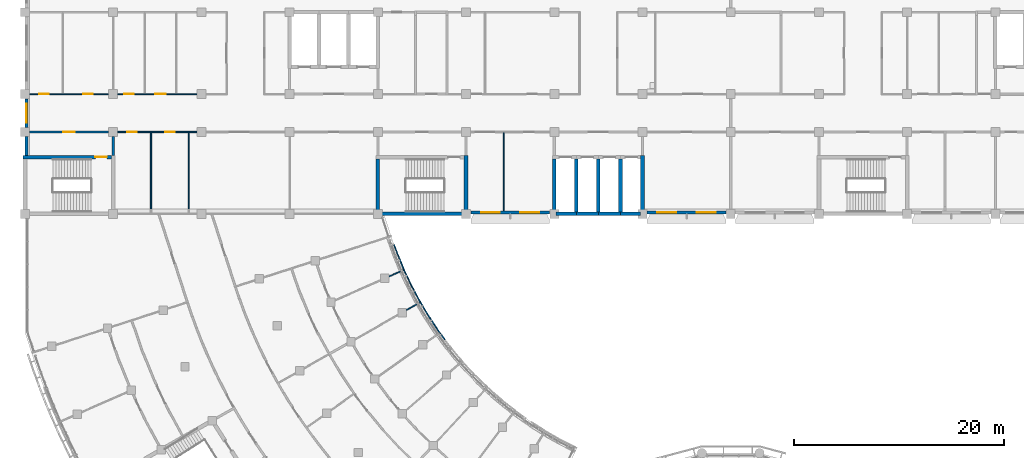
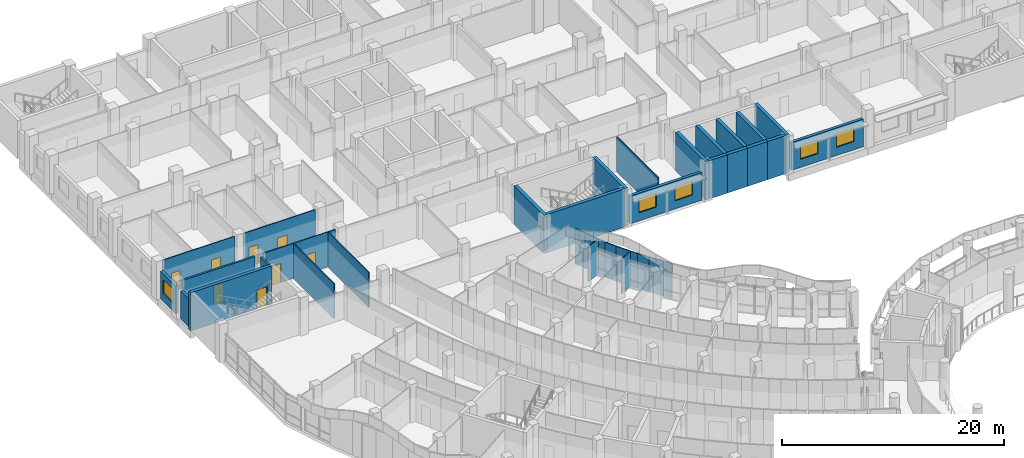
# One storey, part 56 of 109: 36 walls, 8 doors, 5 windows, 13 openings.
"""IFC4 building model written with IfcOpenShell, lengths in metres."""

from ifc_helpers import new_model, si_unit, direction, frame, frame_2d, origin, place, context, subcontext, project, spatial, rectangle, extrude, material, layer, layer_set, type_object, element, fill, save


model = new_model("IFC4")

# Units and contexts
model_context = context("Model", 3, precision=1e-05, world=origin(), true_north=direction((0.0, 1.0)))
body_context = subcontext(model_context, "Body", "Model", "MODEL_VIEW")
ifc_project = project(units=[si_unit("LENGTHUNIT", "METRE"), si_unit("AREAUNIT", "SQUARE_METRE"), si_unit("VOLUMEUNIT", "CUBIC_METRE"), si_unit("PLANEANGLEUNIT", "RADIAN"), si_unit("MASSUNIT", "GRAM", prefix="KILO")], contexts=[model_context])

# Site, building, storey
site_placement = place(None, origin())
site = spatial("IfcSite", under=ifc_project, at=site_placement, CompositionType="ELEMENT")
building_placement = place(site_placement, origin())
building = spatial("IfcBuilding", under=site, at=building_placement, Name="Bougainvillea Quay General Hospital", CompositionType="ELEMENT")
storey_placement = place(building_placement, frame((0.0, 0.0, 12.60009765625)))
storey = spatial("IfcBuildingStorey", under=building, at=storey_placement, Name="L02", CompositionType="ELEMENT", Elevation=12.60009765625)

# Wall, opening, window
ifc_material_1 = material(Name="Pale stone rainscreen cladding on insulated masonry backing, pale stone", Category="masonry")
ifc_layer_1 = layer(ifc_material_1, 0.300048828125)
ifc_layer_set_1 = layer_set([ifc_layer_1], Name="Pale stone rainscreen cladding on insulated masonry backing, pale stone")
wall_type_1 = type_object("IfcWallType", Name="External wall pale stone rainscreen 300", PredefinedType="STANDARD", material=ifc_layer_set_1)
wall_1_placement = place(storey_placement, frame((42.14990234375, 128.550048828125, 0.0), z_axis=(0.0, 0.0, 1.0), x_axis=(0.0, -1.0, 0.0)))
wall_1 = element("IfcWall", 1, at=wall_1_placement, inside=storey, type_object=wall_type_1, Name="External wall wall/V4/L02/p0/10f", PredefinedType="STANDARD", context=body_context, shape_type="SweptSolid", body=[
    extrude(rectangle(XDim=2.699951171875, YDim=0.300048828125, at=frame_2d((1.35009765625, 0.0))), origin(), (0.0, 0.0, 1.0), 3.0498046875),
])
opening_1_placement = place(wall_1_placement, frame((0.449951171875, 0.0, 0.89990234375)))
opening_1 = element("IfcOpeningElement", 2, at=opening_1_placement, cuts=wall_1, Name="Opening W1", PredefinedType="OPENING", context=body_context, shape_type="SweptSolid", body=[
    extrude(rectangle(XDim=1.800048828125, YDim=1.5, at=frame_2d((0.89990234375, 0.75))), frame((0.0, 0.159912109375, 0.0), z_axis=(0.0, -1.0, 0.0), x_axis=(1.0, 0.0, 0.0)), (0.0, 0.0, 1.0), 0.320068359375),
])
ifc_material_2 = material(Name="Aluminium window frame with low-e double glazed unit", Category="aluminium")
window_type = type_object("IfcWindowType", Name="Window W1 1800x1500", PartitioningType="DOUBLE_PANEL_VERTICAL", PredefinedType="WINDOW", material=ifc_material_2)
window_1_placement = place(opening_1_placement, origin())
window_1 = element("IfcWindow", 3, at=window_1_placement, inside=storey, type_object=window_type, Name="Window W1 1", OverallHeight=1.5, OverallWidth=1.800048828125, PartitioningType="SINGLE_PANEL", PredefinedType="WINDOW", context=body_context, shape_type="SweptSolid", body=[
    extrude(rectangle(XDim=1.800048828125, YDim=1.5, at=frame_2d((0.89990234375, 0.75))), frame((0.0, 0.030029296875, 0.0), z_axis=(0.0, -1.0, 0.0), x_axis=(1.0, 0.0, 0.0)), (0.0, 0.0, 1.0), 0.06005859375),
])
fill(opening_1, window_1)

# Wall, openings, windows
wall_2_placement = place(storey_placement, frame((84.449951171875, 117.75, 0.0), z_axis=(0.0, 0.0, 1.0), x_axis=(1.0, 0.0, 0.0)))
wall_2 = element("IfcWall", 4, at=wall_2_placement, inside=storey, type_object=wall_type_1, Name="External wall wall/V4/L02/p1/00a", PredefinedType="STANDARD", context=body_context, shape_type="SweptSolid", body=[
    extrude(rectangle(XDim=7.5, YDim=0.300048828125, at=frame_2d((3.75, 0.0))), origin(), (0.0, 0.0, 1.0), 3.0498046875),
])
opening_2_placement = place(wall_2_placement, frame((0.97509765625, 0.0, 0.89990234375)))
opening_2 = element("IfcOpeningElement", 5, at=opening_2_placement, cuts=wall_2, Name="Opening W1", PredefinedType="OPENING", context=body_context, shape_type="SweptSolid", body=[
    extrude(rectangle(XDim=1.800048828125, YDim=1.5, at=frame_2d((0.89990234375, 0.75))), frame((0.0, 0.159912109375, 0.0), z_axis=(0.0, -1.0, 0.0), x_axis=(1.0, 0.0, 0.0)), (0.0, 0.0, 1.0), 0.320068359375),
])
opening_3_placement = place(wall_2_placement, frame((4.72509765625, 0.0, 0.89990234375)))
opening_3 = element("IfcOpeningElement", 6, at=opening_3_placement, cuts=wall_2, Name="Opening W1", PredefinedType="OPENING", context=body_context, shape_type="SweptSolid", body=[
    extrude(rectangle(XDim=1.800048828125, YDim=1.5, at=frame_2d((0.89990234375, 0.75))), frame((0.0, 0.159912109375, 0.0), z_axis=(0.0, -1.0, 0.0), x_axis=(1.0, 0.0, 0.0)), (0.0, 0.0, 1.0), 0.320068359375),
])
window_2_placement = place(opening_2_placement, origin())
window_2 = element("IfcWindow", 7, at=window_2_placement, inside=storey, type_object=window_type, Name="Window W1 1", OverallHeight=1.5, OverallWidth=1.800048828125, PartitioningType="SINGLE_PANEL", PredefinedType="WINDOW", context=body_context, shape_type="SweptSolid", body=[
    extrude(rectangle(XDim=1.800048828125, YDim=1.5, at=frame_2d((0.89990234375, 0.75))), frame((0.0, 0.030029296875, 0.0), z_axis=(0.0, -1.0, 0.0), x_axis=(1.0, 0.0, 0.0)), (0.0, 0.0, 1.0), 0.06005859375),
])
fill(opening_2, window_2)
window_3_placement = place(opening_3_placement, origin())
window_3 = element("IfcWindow", 8, at=window_3_placement, inside=storey, type_object=window_type, Name="Window W1 2", OverallHeight=1.5, OverallWidth=1.800048828125, PartitioningType="SINGLE_PANEL", PredefinedType="WINDOW", context=body_context, shape_type="SweptSolid", body=[
    extrude(rectangle(XDim=1.800048828125, YDim=1.5, at=frame_2d((0.89990234375, 0.75))), frame((0.0, 0.030029296875, 0.0), z_axis=(0.0, -1.0, 0.0), x_axis=(1.0, 0.0, 0.0)), (0.0, 0.0, 1.0), 0.06005859375),
])
fill(opening_3, window_3)

wall_3_placement = place(storey_placement, frame((101.25, 117.75, 0.0), z_axis=(0.0, 0.0, 1.0), x_axis=(1.0, 0.0, 0.0)))
wall_3 = element("IfcWall", 9, at=wall_3_placement, inside=storey, type_object=wall_type_1, Name="External wall wall/V4/L02/p1/04a", PredefinedType="STANDARD", context=body_context, shape_type="SweptSolid", body=[
    extrude(rectangle(XDim=7.5, YDim=0.300048828125, at=frame_2d((3.75, 0.0))), origin(), (0.0, 0.0, 1.0), 3.0498046875),
])
opening_4_placement = place(wall_3_placement, frame((0.97509765625, 0.0, 0.89990234375)))
opening_4 = element("IfcOpeningElement", 10, at=opening_4_placement, cuts=wall_3, Name="Opening W1", PredefinedType="OPENING", context=body_context, shape_type="SweptSolid", body=[
    extrude(rectangle(XDim=1.800048828125, YDim=1.5, at=frame_2d((0.89990234375, 0.75))), frame((0.0, 0.159912109375, 0.0), z_axis=(0.0, -1.0, 0.0), x_axis=(1.0, 0.0, 0.0)), (0.0, 0.0, 1.0), 0.320068359375),
])
opening_5_placement = place(wall_3_placement, frame((4.72509765625, 0.0, 0.89990234375)))
opening_5 = element("IfcOpeningElement", 11, at=opening_5_placement, cuts=wall_3, Name="Opening W1", PredefinedType="OPENING", context=body_context, shape_type="SweptSolid", body=[
    extrude(rectangle(XDim=1.800048828125, YDim=1.5, at=frame_2d((0.89990234375, 0.75))), frame((0.0, 0.159912109375, 0.0), z_axis=(0.0, -1.0, 0.0), x_axis=(1.0, 0.0, 0.0)), (0.0, 0.0, 1.0), 0.320068359375),
])
window_4_placement = place(opening_4_placement, origin())
window_4 = element("IfcWindow", 12, at=window_4_placement, inside=storey, type_object=window_type, Name="Window W1 1", OverallHeight=1.5, OverallWidth=1.800048828125, PartitioningType="SINGLE_PANEL", PredefinedType="WINDOW", context=body_context, shape_type="SweptSolid", body=[
    extrude(rectangle(XDim=1.800048828125, YDim=1.5, at=frame_2d((0.89990234375, 0.75))), frame((0.0, 0.030029296875, 0.0), z_axis=(0.0, -1.0, 0.0), x_axis=(1.0, 0.0, 0.0)), (0.0, 0.0, 1.0), 0.06005859375),
])
fill(opening_4, window_4)
window_5_placement = place(opening_5_placement, origin())
window_5 = element("IfcWindow", 13, at=window_5_placement, inside=storey, type_object=window_type, Name="Window W1 2", OverallHeight=1.5, OverallWidth=1.800048828125, PartitioningType="SINGLE_PANEL", PredefinedType="WINDOW", context=body_context, shape_type="SweptSolid", body=[
    extrude(rectangle(XDim=1.800048828125, YDim=1.5, at=frame_2d((0.89990234375, 0.75))), frame((0.0, 0.030029296875, 0.0), z_axis=(0.0, -1.0, 0.0), x_axis=(1.0, 0.0, 0.0)), (0.0, 0.0, 1.0), 0.06005859375),
])
fill(opening_5, window_5)

# Wall
ifc_material_3 = material(Name="Terracotta rainscreen cladding on insulated masonry backing, terracotta", Category="masonry")
ifc_layer_2 = layer(ifc_material_3, 0.300048828125)
ifc_layer_set_2 = layer_set([ifc_layer_2], Name="Terracotta rainscreen cladding on insulated masonry backing, terracotta")
wall_type_2 = type_object("IfcWallType", Name="External wall terracotta rainscreen 300", PredefinedType="STANDARD", material=ifc_layer_set_2)
wall_4_placement = place(storey_placement, frame((42.14990234375, 124.949951171875, 0.0), z_axis=(0.0, 0.0, 1.0), x_axis=(0.0, -1.0, 0.0)))
element("IfcWall", 14, at=wall_4_placement, inside=storey, type_object=wall_type_2, Name="External wall wall/V4/L02/p0/10g", PredefinedType="STANDARD", context=body_context, shape_type="SweptSolid", body=[
    extrude(rectangle(XDim=1.77490234375, YDim=0.300048828125, at=frame_2d((0.887451171875, 0.0))), origin(), (0.0, 0.0, 1.0), 3.0498046875),
])

# Wall, openings, doors
ifc_material_4 = material(Name="Gypsum board partition on steel studs", Category="steel")
ifc_layer_3 = layer(ifc_material_4, 0.10009765625)
ifc_layer_set_3 = layer_set([ifc_layer_3], Name="Gypsum board partition on steel studs")
wall_type_3 = type_object("IfcWallType", Name="Partition 100 Gypsum board partition", PredefinedType="PARTITIONING", material=ifc_layer_set_3)
wall_5_placement = place(storey_placement, frame((58.35009765625, 125.39990234375, 0.0), z_axis=(0.0, 0.0, 1.0), x_axis=(-1.0, 0.0, 0.0)))
wall_5 = element("IfcWall", 15, at=wall_5_placement, inside=storey, type_object=wall_type_3, Name="Partition 100 mm", PredefinedType="PARTITIONING", context=body_context, shape_type="SweptSolid", body=[
    extrude(rectangle(XDim=7.5, YDim=0.10009765625, at=frame_2d((3.75, 0.0))), origin(), (0.0, 0.0, 1.0), 3.849853515625),
])
opening_6_placement = place(wall_5_placement, frame((5.700927734375, 0.0, 0.0)))
opening_6 = element("IfcOpeningElement", 16, at=opening_6_placement, cuts=wall_5, Name="Opening L02.085", PredefinedType="OPENING", context=body_context, shape_type="SweptSolid", body=[
    extrude(rectangle(XDim=0.89990234375, YDim=2.10009765625, at=frame_2d((0.449951171875, 1.050048828125))), frame((0.0, 0.06005859375, 0.0), z_axis=(0.0, -1.0, 0.0), x_axis=(1.0, 0.0, 0.0)), (0.0, 0.0, 1.0), 0.1201171875),
])
opening_7_placement = place(wall_5_placement, frame((2.10205078125, 0.0, 0.0)))
opening_7 = element("IfcOpeningElement", 17, at=opening_7_placement, cuts=wall_5, Name="Opening L02.086", PredefinedType="OPENING", context=body_context, shape_type="SweptSolid", body=[
    extrude(rectangle(XDim=0.89990234375, YDim=2.10009765625, at=frame_2d((0.449951171875, 1.050048828125))), frame((0.0, 0.06005859375, 0.0), z_axis=(0.0, -1.0, 0.0), x_axis=(1.0, 0.0, 0.0)), (0.0, 0.0, 1.0), 0.1201171875),
])
ifc_material_5 = material(Name="Solid-core timber door leaf in steel frame", Category="steel")
door_type_1 = type_object("IfcDoorType", Name="Single leaf door 900x2100", OperationType="NOTDEFINED", PredefinedType="DOOR", material=ifc_material_5)
door_1_placement = place(opening_6_placement, origin())
door_1 = element("IfcDoor", 18, at=door_1_placement, inside=storey, type_object=door_type_1, Name="DT07 L02.085", OperationType="SINGLE_SWING_RIGHT", OverallHeight=2.10009765625, OverallWidth=0.89990234375, PredefinedType="DOOR", context=body_context, shape_type="SweptSolid", body=[
    extrude(rectangle(XDim=0.89990234375, YDim=2.10009765625, at=frame_2d((0.449951171875, 1.050048828125))), frame((0.0, 0.02490234375, 0.0), z_axis=(0.0, -1.0, 0.0), x_axis=(1.0, 0.0, 0.0)), (0.0, 0.0, 1.0), 0.050048828125),
])
fill(opening_6, door_1)
door_2_placement = place(opening_7_placement, origin())
door_2 = element("IfcDoor", 19, at=door_2_placement, inside=storey, type_object=door_type_1, Name="DT07 L02.086", OperationType="SINGLE_SWING_LEFT", OverallHeight=2.10009765625, OverallWidth=0.89990234375, PredefinedType="DOOR", context=body_context, shape_type="SweptSolid", body=[
    extrude(rectangle(XDim=0.89990234375, YDim=2.10009765625, at=frame_2d((0.449951171875, 1.050048828125))), frame((0.0, 0.02490234375, 0.0), z_axis=(0.0, -1.0, 0.0), x_axis=(1.0, 0.0, 0.0)), (0.0, 0.0, 1.0), 0.050048828125),
])
fill(opening_7, door_2)

wall_6_placement = place(storey_placement, frame((58.35009765625, 129.0, 0.0), z_axis=(0.0, 0.0, 1.0), x_axis=(-1.0, 0.0, 0.0)))
wall_6 = element("IfcWall", 20, at=wall_6_placement, inside=storey, type_object=wall_type_3, Name="Partition 100 mm", PredefinedType="PARTITIONING", context=body_context, shape_type="SweptSolid", body=[
    extrude(rectangle(XDim=7.5, YDim=0.10009765625, at=frame_2d((3.75, 0.0))), origin(), (0.0, 0.0, 1.0), 3.849853515625),
])
opening_8_placement = place(wall_6_placement, frame((6.0, 0.0, 0.0)))
opening_8 = element("IfcOpeningElement", 21, at=opening_8_placement, cuts=wall_6, Name="Opening L02.091", PredefinedType="OPENING", context=body_context, shape_type="SweptSolid", body=[
    extrude(rectangle(XDim=0.89990234375, YDim=2.10009765625, at=frame_2d((0.449951171875, 1.050048828125))), frame((0.0, 0.06005859375, 0.0), z_axis=(0.0, -1.0, 0.0), x_axis=(1.0, 0.0, 0.0)), (0.0, 0.0, 1.0), 0.1201171875),
])
opening_9_placement = place(wall_6_placement, frame((2.949951171875, 0.0, 0.0)))
opening_9 = element("IfcOpeningElement", 22, at=opening_9_placement, cuts=wall_6, Name="Opening L02.092", PredefinedType="OPENING", context=body_context, shape_type="SweptSolid", body=[
    extrude(rectangle(XDim=1.0, YDim=2.10009765625, at=frame_2d((0.5, 1.050048828125))), frame((0.0, 0.06005859375, 0.0), z_axis=(0.0, -1.0, 0.0), x_axis=(1.0, 0.0, 0.0)), (0.0, 0.0, 1.0), 0.1201171875),
])
door_type_2 = type_object("IfcDoorType", Name="Single leaf door 1000x2100", OperationType="NOTDEFINED", PredefinedType="DOOR", material=ifc_material_5)
door_3_placement = place(opening_9_placement, frame((1.0, 0.0, 0.0), z_axis=(0.0, 0.0, 1.0), x_axis=(-1.0, 0.0, 0.0)))
door_3 = element("IfcDoor", 23, at=door_3_placement, inside=storey, type_object=door_type_2, Name="DT06 L02.092", OperationType="SINGLE_SWING_RIGHT", OverallHeight=2.10009765625, OverallWidth=1.0, PredefinedType="DOOR", context=body_context, shape_type="SweptSolid", body=[
    extrude(rectangle(XDim=1.0, YDim=2.10009765625, at=frame_2d((0.5, 1.050048828125))), frame((0.0, 0.02490234375, 0.0), z_axis=(0.0, -1.0, 0.0), x_axis=(1.0, 0.0, 0.0)), (0.0, 0.0, 1.0), 0.050048828125),
])
fill(opening_9, door_3)
door_4_placement = place(opening_8_placement, frame((0.89990234375, 0.0, 0.0), z_axis=(0.0, 0.0, 1.0), x_axis=(-1.0, 0.0, 0.0)))
door_4 = element("IfcDoor", 24, at=door_4_placement, inside=storey, type_object=door_type_1, Name="DT07 L02.091", OperationType="SINGLE_SWING_LEFT", OverallHeight=2.10009765625, OverallWidth=0.89990234375, PredefinedType="DOOR", context=body_context, shape_type="SweptSolid", body=[
    extrude(rectangle(XDim=0.89990234375, YDim=2.10009765625, at=frame_2d((0.449951171875, 1.050048828125))), frame((0.0, 0.02490234375, 0.0), z_axis=(0.0, -1.0, 0.0), x_axis=(1.0, 0.0, 0.0)), (0.0, 0.0, 1.0), 0.050048828125),
])
fill(opening_8, door_4)

wall_7_placement = place(storey_placement, frame((49.949951171875, 129.0, 0.0), z_axis=(0.0, 0.0, 1.0), x_axis=(-1.0, 0.0, 0.0)))
wall_7 = element("IfcWall", 25, at=wall_7_placement, inside=storey, type_object=wall_type_3, Name="Partition 100 mm", PredefinedType="PARTITIONING", context=body_context, shape_type="SweptSolid", body=[
    extrude(rectangle(XDim=7.5, YDim=0.10009765625, at=frame_2d((3.75, 0.0))), origin(), (0.0, 0.0, 1.0), 3.849853515625),
])
opening_10_placement = place(wall_7_placement, frame((5.699951171875, 0.0, 0.0)))
opening_10 = element("IfcOpeningElement", 26, at=opening_10_placement, cuts=wall_7, Name="Opening L02.089", PredefinedType="OPENING", context=body_context, shape_type="SweptSolid", body=[
    extrude(rectangle(XDim=0.89990234375, YDim=2.10009765625, at=frame_2d((0.449951171875, 1.050048828125))), frame((0.0, 0.06005859375, 0.0), z_axis=(0.0, -1.0, 0.0), x_axis=(1.0, 0.0, 0.0)), (0.0, 0.0, 1.0), 0.1201171875),
])
opening_11_placement = place(wall_7_placement, frame((1.5, 0.0, 0.0)))
opening_11 = element("IfcOpeningElement", 27, at=opening_11_placement, cuts=wall_7, Name="Opening L02.090", PredefinedType="OPENING", context=body_context, shape_type="SweptSolid", body=[
    extrude(rectangle(XDim=0.89990234375, YDim=2.10009765625, at=frame_2d((0.449951171875, 1.050048828125))), frame((0.0, 0.06005859375, 0.0), z_axis=(0.0, -1.0, 0.0), x_axis=(1.0, 0.0, 0.0)), (0.0, 0.0, 1.0), 0.1201171875),
])
door_5_placement = place(opening_10_placement, frame((0.89990234375, 0.0, 0.0), z_axis=(0.0, 0.0, 1.0), x_axis=(-1.0, 0.0, 0.0)))
door_5 = element("IfcDoor", 28, at=door_5_placement, inside=storey, type_object=door_type_1, Name="DT07 L02.089", OperationType="SINGLE_SWING_LEFT", OverallHeight=2.10009765625, OverallWidth=0.89990234375, PredefinedType="DOOR", context=body_context, shape_type="SweptSolid", body=[
    extrude(rectangle(XDim=0.89990234375, YDim=2.10009765625, at=frame_2d((0.449951171875, 1.050048828125))), frame((0.0, 0.02490234375, 0.0), z_axis=(0.0, -1.0, 0.0), x_axis=(1.0, 0.0, 0.0)), (0.0, 0.0, 1.0), 0.050048828125),
])
fill(opening_10, door_5)
door_6_placement = place(opening_11_placement, frame((0.89990234375, 0.0, 0.0), z_axis=(0.0, 0.0, 1.0), x_axis=(-1.0, 0.0, 0.0)))
door_6 = element("IfcDoor", 29, at=door_6_placement, inside=storey, type_object=door_type_1, Name="DT07 L02.090", OperationType="SINGLE_SWING_RIGHT", OverallHeight=2.10009765625, OverallWidth=0.89990234375, PredefinedType="DOOR", context=body_context, shape_type="SweptSolid", body=[
    extrude(rectangle(XDim=0.89990234375, YDim=2.10009765625, at=frame_2d((0.449951171875, 1.050048828125))), frame((0.0, 0.02490234375, 0.0), z_axis=(0.0, -1.0, 0.0), x_axis=(1.0, 0.0, 0.0)), (0.0, 0.0, 1.0), 0.050048828125),
])
fill(opening_11, door_6)

# Walls
for number, where, z_axis, x_axis, name in (
    (30, (53.998046875, 118.050048828125, 0.0), (0.0, 0.0, 1.0), (0.0, 1.0, 0.0), "Partition 100 mm"),
    (31, (57.597900390625, 118.050048828125, 0.0), (0.0, 0.0, 1.0), (0.0, 1.0, 0.0), "Partition 100 mm"),
):
    element("IfcWall", number, at=place(storey_placement, frame(where, z_axis=z_axis, x_axis=x_axis)), inside=storey, type_object=wall_type_3, Name=name, PredefinedType="PARTITIONING", context=body_context, shape_type="SweptSolid", body=[
        extrude(rectangle(XDim=7.300048828125, YDim=0.10009765625, at=frame_2d((3.64990234375, 0.0))), origin(), (0.0, 0.0, 1.0), 3.849853515625),
    ])
wall_8_placement = place(storey_placement, frame((87.597900390625, 117.89990234375, 0.0), z_axis=(0.0, 0.0, 1.0), x_axis=(0.0, 1.0, 0.0)))
element("IfcWall", 32, at=wall_8_placement, inside=storey, type_object=wall_type_3, Name="Partition 100 mm", PredefinedType="PARTITIONING", context=body_context, shape_type="SweptSolid", body=[
    extrude(rectangle(XDim=7.4501953125, YDim=0.10009765625, at=frame_2d((3.72509765625, 0.0))), origin(), (0.0, 0.0, 1.0), 3.849853515625),
])
ifc_layer_4 = layer(ifc_material_4, 0.10009765625)
ifc_layer_set_4 = layer_set([ifc_layer_4], Name="Gypsum board partition on steel studs")
wall_type_4 = type_object("IfcWallType", Name="Partition 100 Gypsum board partition EI 30", PredefinedType="PARTITIONING", material=ifc_layer_set_4)
wall_9_placement = place(storey_placement, frame((76.685791015625, 111.64892578125, 0.0), z_axis=(0.0, 0.0, 1.0), x_axis=(0.914802710669, 0.403900978649, 0.0)))
element("IfcWall", 33, at=wall_9_placement, inside=storey, type_object=wall_type_4, Name="Partition 100 mm EI 30", PredefinedType="PARTITIONING", context=body_context, shape_type="SweptSolid", body=[
    extrude(rectangle(XDim=1.59033203125, YDim=0.10009765625, at=frame_2d((0.795166015625, 0.0))), origin(), (0.0, 0.0, 1.0), 3.849853515625),
])
wall_10_placement = place(storey_placement, frame((78.331298828125, 108.44482421875, 0.0), z_axis=(0.0, 0.0, 1.0), x_axis=(0.869222922884, 0.494420378154, 0.0)))
element("IfcWall", 34, at=wall_10_placement, inside=storey, type_object=wall_type_4, Name="Partition 100 mm EI 30", PredefinedType="PARTITIONING", context=body_context, shape_type="SweptSolid", body=[
    extrude(rectangle(XDim=1.561279296875, YDim=0.10009765625, at=frame_2d((0.78076171875, 0.0))), origin(), (0.0, 0.0, 1.0), 3.849853515625),
])
wall_11_placement = place(storey_placement, frame((80.656982421875, 107.52734375, 0.0), z_axis=(0.0, 0.0, 1.0), x_axis=(0.561086061718, -0.827757471332, 0.0)))
element("IfcWall", 35, at=wall_11_placement, inside=storey, type_object=wall_type_4, Name="Partition 100 mm EI 30", PredefinedType="PARTITIONING", context=body_context, shape_type="SweptSolid", body=[
    extrude(rectangle(XDim=1.451904296875, YDim=0.10009765625, at=frame_2d((0.72607421875, 0.0))), origin(), (0.0, 0.0, 1.0), 3.849853515625),
])
wall_12_placement = place(storey_placement, frame((78.952392578125, 110.47802734375, 0.0), z_axis=(0.0, 0.0, 1.0), x_axis=(0.474192635092, -0.880421117889, 0.0)))
element("IfcWall", 36, at=wall_12_placement, inside=storey, type_object=wall_type_4, Name="Partition 100 mm EI 30", PredefinedType="PARTITIONING", context=body_context, shape_type="SweptSolid", body=[
    extrude(rectangle(XDim=1.41162109375, YDim=0.10009765625, at=frame_2d((0.705810546875, 0.0))), origin(), (0.0, 0.0, 1.0), 3.849853515625),
])
wall_13_placement = place(storey_placement, frame((77.535888671875, 113.6181640625, 0.0), z_axis=(0.0, 0.0, 1.0), x_axis=(0.383274532271, -0.923634469318, 0.0)))
element("IfcWall", 37, at=wall_13_placement, inside=storey, type_object=wall_type_4, Name="Partition 100 mm EI 30", PredefinedType="PARTITIONING", context=body_context, shape_type="SweptSolid", body=[
    extrude(rectangle(XDim=1.40966796875, YDim=0.10009765625, at=frame_2d((0.704833984375, 0.0))), origin(), (0.0, 0.0, 1.0), 3.849853515625),
])
wall_14_placement = place(storey_placement, frame((77.132080078125, 114.700927734375, 0.0), z_axis=(0.0, 0.0, 1.0), x_axis=(0.350822880831, -0.936441832836, 0.0)))
element("IfcWall", 38, at=wall_14_placement, inside=storey, type_object=wall_type_4, Name="Partition 100 mm EI 30", PredefinedType="PARTITIONING", context=body_context, shape_type="SweptSolid", body=[
    extrude(rectangle(XDim=1.1572265625, YDim=0.10009765625, at=frame_2d((0.57861328125, 0.0))), origin(), (0.0, 0.0, 1.0), 3.849853515625),
])
wall_15_placement = place(storey_placement, frame((78.4306640625, 111.53076171875, 0.0), z_axis=(0.0, 0.0, 1.0), x_axis=(0.445137160255, -0.8954623993, 0.0)))
element("IfcWall", 39, at=wall_15_placement, inside=storey, type_object=wall_type_4, Name="Partition 100 mm EI 30", PredefinedType="PARTITIONING", context=body_context, shape_type="SweptSolid", body=[
    extrude(rectangle(XDim=1.176513671875, YDim=0.10009765625, at=frame_2d((0.58837890625, 0.0))), origin(), (0.0, 0.0, 1.0), 3.849853515625),
])
wall_16_placement = place(storey_placement, frame((80.054443359375, 108.490234375, 0.0), z_axis=(0.0, 0.0, 1.0), x_axis=(0.531657145883, -0.846959668008, 0.0)))
element("IfcWall", 40, at=wall_16_placement, inside=storey, type_object=wall_type_4, Name="Partition 100 mm EI 30", PredefinedType="PARTITIONING", context=body_context, shape_type="SweptSolid", body=[
    extrude(rectangle(XDim=1.137451171875, YDim=0.10009765625, at=frame_2d((0.56884765625, 0.0))), origin(), (0.0, 0.0, 1.0), 3.849853515625),
])
wall_17_placement = place(storey_placement, frame((78.115966796875, 112.22509765625, 0.0), z_axis=(0.0, 0.0, 1.0), x_axis=(0.414838086324, -0.909895247891, 0.0)))
element("IfcWall", 41, at=wall_17_placement, inside=storey, type_object=wall_type_4, Name="Partition 100 mm EI 30", PredefinedType="PARTITIONING", context=body_context, shape_type="SweptSolid", body=[
    extrude(rectangle(XDim=0.763916015625, YDim=0.10009765625, at=frame_2d((0.3818359375, 0.0))), origin(), (0.0, 0.0, 1.0), 3.849853515625),
])
wall_18_placement = place(storey_placement, frame((79.670654296875, 109.148193359375, 0.0), z_axis=(0.0, 0.0, 1.0), x_axis=(0.505620943658, -0.862755736773, 0.0)))
element("IfcWall", 42, at=wall_18_placement, inside=storey, type_object=wall_type_4, Name="Partition 100 mm EI 30", PredefinedType="PARTITIONING", context=body_context, shape_type="SweptSolid", body=[
    extrude(rectangle(XDim=0.762939453125, YDim=0.10009765625, at=frame_2d((0.38134765625, 0.0))), origin(), (0.0, 0.0, 1.0), 3.849853515625),
])
wall_19_placement = place(storey_placement, frame((81.52880859375, 106.244140625, 0.0), z_axis=(0.0, 0.0, 1.0), x_axis=(0.590281268128, -0.807197636578, 0.0)))
element("IfcWall", 43, at=wall_19_placement, inside=storey, type_object=wall_type_4, Name="Partition 100 mm EI 30", PredefinedType="PARTITIONING", context=body_context, shape_type="SweptSolid", body=[
    extrude(rectangle(XDim=0.76318359375, YDim=0.10009765625, at=frame_2d((0.381591796875, 0.0))), origin(), (0.0, 0.0, 1.0), 3.849853515625),
])

# Wall, opening, door
ifc_material_6 = material(Name="Fire-rated autoclaved aerated block wall, plastered")
ifc_layer_5 = layer(ifc_material_6, 0.199951171875)
ifc_layer_set_5 = layer_set([ifc_layer_5], Name="Fire-rated autoclaved aerated block wall, plastered")
wall_type_5 = type_object("IfcWallType", Name="Partition 200 Fire-rated autoclaved aerated block wall EI 120", PredefinedType="SOLIDWALL", material=ifc_layer_set_5)
wall_20_placement = place(storey_placement, frame((42.449951171875, 125.39990234375, 0.0), z_axis=(0.0, 0.0, 1.0), x_axis=(1.0, 0.0, 0.0)))
wall_20 = element("IfcWall", 44, at=wall_20_placement, inside=storey, type_object=wall_type_5, Name="Partition 200 mm EI 120", PredefinedType="SOLIDWALL", context=body_context, shape_type="SweptSolid", body=[
    extrude(rectangle(XDim=7.5, YDim=0.199951171875, at=frame_2d((3.75, 0.0))), origin(), (0.0, 0.0, 1.0), 3.849853515625),
])
opening_12_placement = place(wall_20_placement, frame((3.199951171875, 0.0, 0.0)))
opening_12 = element("IfcOpeningElement", 45, at=opening_12_placement, cuts=wall_20, Name="Opening L02.035", PredefinedType="OPENING", context=body_context, shape_type="SweptSolid", body=[
    extrude(rectangle(XDim=1.10009765625, YDim=2.10009765625, at=frame_2d((0.550048828125, 1.050048828125))), frame((0.0, 0.10986328125, 0.0), z_axis=(0.0, -1.0, 0.0), x_axis=(1.0, 0.0, 0.0)), (0.0, 0.0, 1.0), 0.219970703125),
])
ifc_material_7 = material(Name="Steel fire door leaf in steel frame", Category="steel")
door_type_3 = type_object("IfcDoorType", Name="Steel single leaf door 1100x2100 FD60", OperationType="NOTDEFINED", PredefinedType="DOOR", material=ifc_material_7)
door_7_placement = place(opening_12_placement, frame((1.10009765625, 0.0, 0.0), z_axis=(0.0, 0.0, 1.0), x_axis=(-1.0, 0.0, 0.0)))
door_7 = element("IfcDoor", 46, at=door_7_placement, inside=storey, type_object=door_type_3, Name="DT04 L02.035", OperationType="SINGLE_SWING_LEFT", OverallHeight=2.10009765625, OverallWidth=1.10009765625, PredefinedType="DOOR", context=body_context, shape_type="SweptSolid", body=[
    extrude(rectangle(XDim=1.10009765625, YDim=2.10009765625, at=frame_2d((0.550048828125, 1.050048828125))), frame((0.0, 0.02490234375, 0.0), z_axis=(0.0, -1.0, 0.0), x_axis=(1.0, 0.0, 0.0)), (0.0, 0.0, 1.0), 0.050048828125),
])
fill(opening_12, door_7)

# Wall
wall_21_placement = place(storey_placement, frame((50.39990234375, 123.175048828125, 0.0), z_axis=(0.0, 0.0, 1.0), x_axis=(0.0, 1.0, 0.0)))
element("IfcWall", 47, at=wall_21_placement, inside=storey, type_object=wall_type_5, Name="Partition 200 mm EI 120", PredefinedType="SOLIDWALL", context=body_context, shape_type="SweptSolid", body=[
    extrude(rectangle(XDim=1.77490234375, YDim=0.199951171875, at=frame_2d((0.887451171875, 0.0))), origin(), (0.0, 0.0, 1.0), 3.849853515625),
])

# Wall, opening, door
ifc_material_8 = material(Name="Concrete C40", Category="concrete")
ifc_layer_6 = layer(ifc_material_8, 0.35009765625)
ifc_layer_set_6 = layer_set([ifc_layer_6], Name="Concrete C40")
wall_type_6 = type_object("IfcWallType", Name="RC SHEAR WALL 350 C40", PredefinedType="SHEAR", material=ifc_layer_set_6)
wall_22_placement = place(storey_placement, frame((41.824951171875, 123.0, 0.0), z_axis=(0.0, 0.0, 1.0), x_axis=(1.0, 0.0, 0.0)))
wall_22 = element("IfcWall", 48, at=wall_22_placement, inside=storey, type_object=wall_type_6, Name="Shear wall L02", PredefinedType="SHEAR", context=body_context, shape_type="SweptSolid", body=[
    extrude(rectangle(XDim=8.400146484375, YDim=0.35009765625, at=frame_2d((4.2001953125, 0.0))), origin(), (0.0, 0.0, 1.0), 4.199951171875),
])
opening_13_placement = place(wall_22_placement, frame((6.875, 0.0, 0.0)))
opening_13 = element("IfcOpeningElement", 49, at=opening_13_placement, cuts=wall_22, Name="Opening L02.021", PredefinedType="OPENING", context=body_context, shape_type="SweptSolid", body=[
    extrude(rectangle(XDim=1.10009765625, YDim=2.10009765625, at=frame_2d((0.550048828125, 1.050048828125))), frame((0.0, 0.18505859375, 0.0), z_axis=(0.0, -1.0, 0.0), x_axis=(1.0, 0.0, 0.0)), (0.0, 0.0, 1.0), 0.3701171875),
])
door_8_placement = place(opening_13_placement, frame((1.10009765625, 0.0, 0.0), z_axis=(0.0, 0.0, 1.0), x_axis=(-1.0, 0.0, 0.0)))
door_8 = element("IfcDoor", 50, at=door_8_placement, inside=storey, type_object=door_type_3, Name="DT04 L02.021", OperationType="SINGLE_SWING_LEFT", OverallHeight=2.10009765625, OverallWidth=1.10009765625, PredefinedType="DOOR", context=body_context, shape_type="SweptSolid", body=[
    extrude(rectangle(XDim=1.10009765625, YDim=2.10009765625, at=frame_2d((0.550048828125, 1.050048828125))), frame((0.0, 0.02490234375, 0.0), z_axis=(0.0, -1.0, 0.0), x_axis=(1.0, 0.0, 0.0)), (0.0, 0.0, 1.0), 0.050048828125),
])
fill(opening_13, door_8)

# Walls
wall_23_placement = place(storey_placement, frame((75.60009765625, 117.425048828125, 0.0), z_axis=(0.0, 0.0, 1.0), x_axis=(0.0, 1.0, 0.0)))
element("IfcWall", 51, at=wall_23_placement, inside=storey, type_object=wall_type_6, Name="Shear wall L02", PredefinedType="SHEAR", context=body_context, shape_type="SweptSolid", body=[
    extrude(rectangle(XDim=5.39990234375, YDim=0.35009765625, at=frame_2d((2.699951171875, 0.0))), origin(), (0.0, 0.0, 1.0), 4.199951171875),
])
wall_24_placement = place(storey_placement, frame((75.77490234375, 117.60009765625, 0.0), z_axis=(0.0, 0.0, 1.0), x_axis=(1.0, 0.0, 0.0)))
element("IfcWall", 52, at=wall_24_placement, inside=storey, type_object=wall_type_6, Name="Shear wall L02", PredefinedType="SHEAR", context=body_context, shape_type="SweptSolid", body=[
    extrude(rectangle(XDim=8.050048828125, YDim=0.35009765625, at=frame_2d((4.02490234375, 0.0))), origin(), (0.0, 0.0, 1.0), 4.199951171875),
])
wall_25_placement = place(storey_placement, frame((84.0, 117.425048828125, 0.0), z_axis=(0.0, 0.0, 1.0), x_axis=(0.0, 1.0, 0.0)))
element("IfcWall", 53, at=wall_25_placement, inside=storey, type_object=wall_type_6, Name="Shear wall L02", PredefinedType="SHEAR", context=body_context, shape_type="SweptSolid", body=[
    extrude(rectangle(XDim=5.75, YDim=0.35009765625, at=frame_2d((2.875, 0.0))), origin(), (0.0, 0.0, 1.0), 4.199951171875),
])
wall_26_placement = place(storey_placement, frame((92.39990234375, 117.425048828125, 0.0), z_axis=(0.0, 0.0, 1.0), x_axis=(0.0, 1.0, 0.0)))
element("IfcWall", 54, at=wall_26_placement, inside=storey, type_object=wall_type_6, Name="Shear wall L02", PredefinedType="SHEAR", context=body_context, shape_type="SweptSolid", body=[
    extrude(rectangle(XDim=5.39990234375, YDim=0.35009765625, at=frame_2d((2.699951171875, 0.0))), origin(), (0.0, 0.0, 1.0), 4.199951171875),
])
wall_27_placement = place(storey_placement, frame((92.574951171875, 117.60009765625, 0.0), z_axis=(0.0, 0.0, 1.0), x_axis=(1.0, 0.0, 0.0)))
element("IfcWall", 55, at=wall_27_placement, inside=storey, type_object=wall_type_6, Name="Shear wall L02", PredefinedType="SHEAR", context=body_context, shape_type="SweptSolid", body=[
    extrude(rectangle(XDim=1.925048828125, YDim=0.35009765625, at=frame_2d((0.96240234375, 0.0))), origin(), (0.0, 0.0, 1.0), 4.199951171875),
])
wall_28_placement = place(storey_placement, frame((94.5, 117.60009765625, 0.0), z_axis=(0.0, 0.0, 1.0), x_axis=(1.0, 0.0, 0.0)))
element("IfcWall", 56, at=wall_28_placement, inside=storey, type_object=wall_type_6, Name="Shear wall L02", PredefinedType="SHEAR", context=body_context, shape_type="SweptSolid", body=[
    extrude(rectangle(XDim=2.10009765625, YDim=0.35009765625, at=frame_2d((1.050048828125, 0.0))), origin(), (0.0, 0.0, 1.0), 4.199951171875),
])
wall_29_placement = place(storey_placement, frame((94.5, 117.77490234375, 0.0), z_axis=(0.0, 0.0, 1.0), x_axis=(0.0, 1.0, 0.0)))
element("IfcWall", 57, at=wall_29_placement, inside=storey, type_object=wall_type_6, Name="Shear wall L02", PredefinedType="SHEAR", context=body_context, shape_type="SweptSolid", body=[
    extrude(rectangle(XDim=5.050048828125, YDim=0.35009765625, at=frame_2d((2.52490234375, 0.0))), origin(), (0.0, 0.0, 1.0), 4.199951171875),
])
wall_30_placement = place(storey_placement, frame((96.60009765625, 117.60009765625, 0.0), z_axis=(0.0, 0.0, 1.0), x_axis=(1.0, 0.0, 0.0)))
element("IfcWall", 58, at=wall_30_placement, inside=storey, type_object=wall_type_6, Name="Shear wall L02", PredefinedType="SHEAR", context=body_context, shape_type="SweptSolid", body=[
    extrude(rectangle(XDim=2.099853515625, YDim=0.35009765625, at=frame_2d((1.0498046875, 0.0))), origin(), (0.0, 0.0, 1.0), 4.199951171875),
])
wall_31_placement = place(storey_placement, frame((96.60009765625, 117.77490234375, 0.0), z_axis=(0.0, 0.0, 1.0), x_axis=(0.0, 1.0, 0.0)))
element("IfcWall", 59, at=wall_31_placement, inside=storey, type_object=wall_type_6, Name="Shear wall L02", PredefinedType="SHEAR", context=body_context, shape_type="SweptSolid", body=[
    extrude(rectangle(XDim=5.050048828125, YDim=0.35009765625, at=frame_2d((2.52490234375, 0.0))), origin(), (0.0, 0.0, 1.0), 4.199951171875),
])
wall_32_placement = place(storey_placement, frame((98.699951171875, 117.60009765625, 0.0), z_axis=(0.0, 0.0, 1.0), x_axis=(1.0, 0.0, 0.0)))
element("IfcWall", 60, at=wall_32_placement, inside=storey, type_object=wall_type_6, Name="Shear wall L02", PredefinedType="SHEAR", context=body_context, shape_type="SweptSolid", body=[
    extrude(rectangle(XDim=1.925048828125, YDim=0.35009765625, at=frame_2d((0.96240234375, 0.0))), origin(), (0.0, 0.0, 1.0), 4.199951171875),
])
wall_33_placement = place(storey_placement, frame((98.699951171875, 117.77490234375, 0.0), z_axis=(0.0, 0.0, 1.0), x_axis=(0.0, 1.0, 0.0)))
element("IfcWall", 61, at=wall_33_placement, inside=storey, type_object=wall_type_6, Name="Shear wall L02", PredefinedType="SHEAR", context=body_context, shape_type="SweptSolid", body=[
    extrude(rectangle(XDim=5.050048828125, YDim=0.35009765625, at=frame_2d((2.52490234375, 0.0))), origin(), (0.0, 0.0, 1.0), 4.199951171875),
])
wall_34_placement = place(storey_placement, frame((100.800048828125, 117.425048828125, 0.0), z_axis=(0.0, 0.0, 1.0), x_axis=(0.0, 1.0, 0.0)))
element("IfcWall", 62, at=wall_34_placement, inside=storey, type_object=wall_type_6, Name="Shear wall L02", PredefinedType="SHEAR", context=body_context, shape_type="SweptSolid", body=[
    extrude(rectangle(XDim=5.75, YDim=0.35009765625, at=frame_2d((2.875, 0.0))), origin(), (0.0, 0.0, 1.0), 4.199951171875),
])

save(model, "model.ifc")
